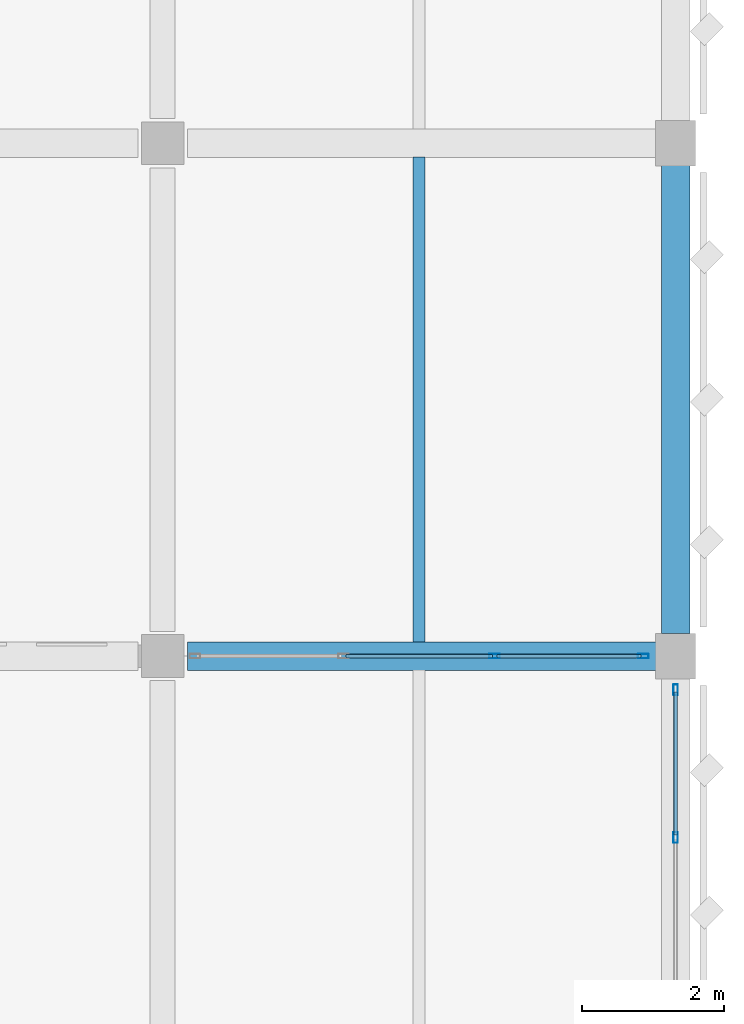
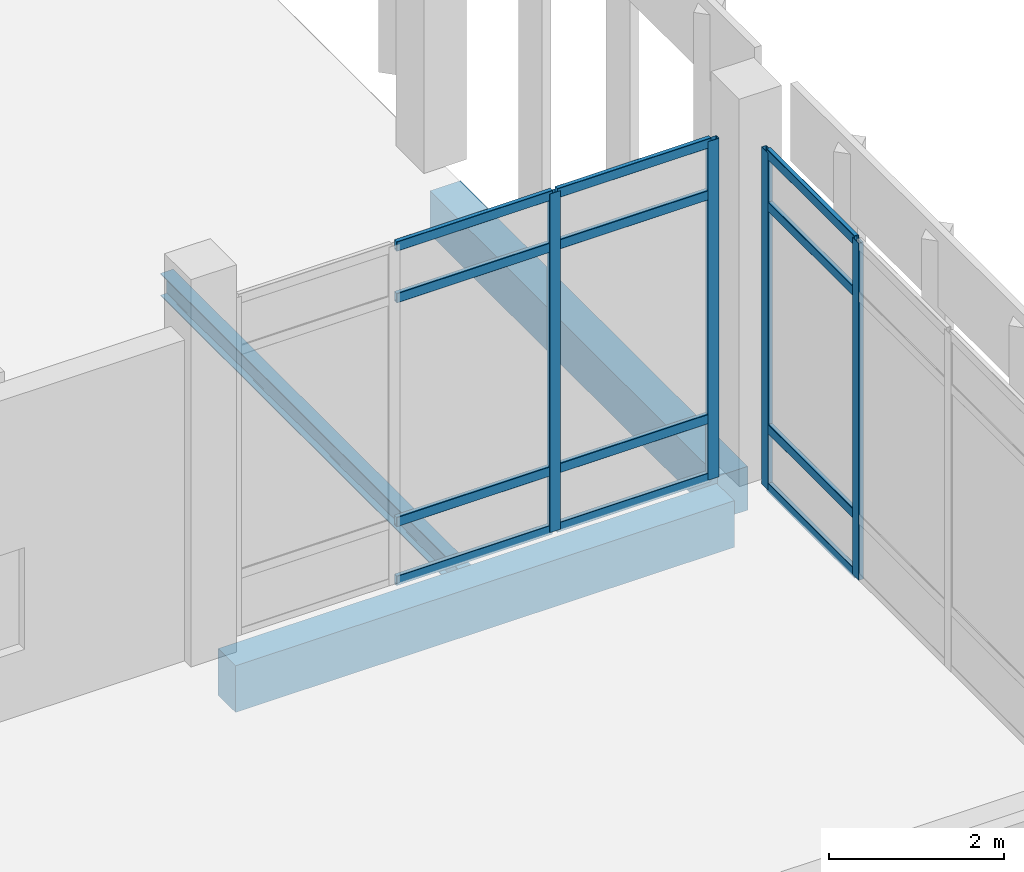
# One storey, part 123 of 180: 16 members, 3 beams, 2 elements without a shape of their own.
"""IFC4 building model written with IfcOpenShell, lengths in metres."""

from ifc_helpers import new_model, si_unit, direction, frame, origin, origin_2d, place, context, subcontext, project, spatial, rectangle, hollow_rectangle, i_section, extrude, material, material_profile, profile_set, type_object, element, aggregate, save


model = new_model("IFC4")

# Units and contexts
model_context = context("Model", 3, precision=1e-05, world=origin(), true_north=direction((0.0, 1.0)))
body_context = subcontext(model_context, "Body", "Model", "MODEL_VIEW")
ifc_project = project(units=[si_unit("LENGTHUNIT", "METRE"), si_unit("AREAUNIT", "SQUARE_METRE"), si_unit("VOLUMEUNIT", "CUBIC_METRE"), si_unit("PLANEANGLEUNIT", "RADIAN"), si_unit("MASSUNIT", "GRAM", prefix="KILO")], contexts=[model_context])

# Site, building, storey
site_placement = place(None, origin())
site = spatial("IfcSite", under=ifc_project, at=site_placement, CompositionType="ELEMENT")
building_placement = place(site_placement, origin())
building = spatial("IfcBuilding", under=site, at=building_placement, Name="Lusvemor Sports Hall", CompositionType="ELEMENT")
storey_placement = place(building_placement, frame((0.0, 0.0, 5.39990234375)))
storey = spatial("IfcBuildingStorey", under=building, at=storey_placement, Name="L01", CompositionType="ELEMENT", Elevation=5.39990234375)

# Beam
ifc_material_1 = material(Name="Concrete C40/50", Category="concrete")
ifc_material_profile_1 = material_profile(ifc_material_1, rectangle(XDim=0.39990234375, YDim=0.64990234375, at=origin_2d()), Name="RC400x650")
ifc_profile_set_1 = profile_set([ifc_material_profile_1], Name="Concrete C40/50")
beam_type_1 = type_object("IfcBeamType", Name="BEAM_RC_650", PredefinedType="BEAM", material=ifc_profile_set_1)
beam_1_placement = place(storey_placement, frame((162.345947265625, 82.800048828125, -0.594970703125), z_axis=(1.0, 0.0, 0.0), x_axis=(0.0, 1.0, 0.0)))
element("IfcBeam", 1, at=beam_1_placement, inside=storey, type_object=beam_type_1, Name="Beam L01 L:19-20", PredefinedType="BEAM", context=body_context, shape_type="SweptSolid", body=[
    extrude(rectangle(XDim=0.39990234375, YDim=0.64990234375, at=origin_2d()), origin(), (0.0, 0.0, 1.0), 6.578125),
])

# Curtain wall, members
ifc_material_2 = material(Name="Thermally broken bronze-anodized aluminium", Category="aluminium")
curtain_wall_type_1 = type_object("IfcCurtainWallType", Name="CW_WING_B", PredefinedType="NOTDEFINED", material=ifc_material_2)
curtain_wall_1_placement = place(storey_placement, origin())
curtain_wall_1 = element("IfcCurtainWall", 2, at=curtain_wall_1_placement, inside=storey, type_object=curtain_wall_type_1, Name="Curtain Wall CW-L01-N-5-4", PredefinedType="NOTDEFINED")
ifc_material_3 = material(Name="Thermally broken bronze-anodized aluminium", Category="aluminium")
ifc_material_profile_2 = material_profile(ifc_material_3, hollow_rectangle(XDim=0.06494140625, YDim=0.14990234375, WallThickness=0.00390625, InnerFilletRadius=0.00390625, OuterFilletRadius=0.008056640625, at=origin_2d()), Name="CWMUL150x65x4")
ifc_profile_set_2 = profile_set([ifc_material_profile_2], Name="Thermally broken bronze-anodized aluminium")
member_type_1 = type_object("IfcMemberType", Name="CW_MUL_B", PredefinedType="MULLION", material=ifc_profile_set_2)
member_1_placement = place(storey_placement, frame((166.659912109375, 82.800048828125, 0.0), z_axis=(0.0, 0.0, 1.0), x_axis=(0.0, 1.0, 0.0)))
member_1 = element("IfcMember", 3, at=member_1_placement, type_object=member_type_1, Name="CW02 mullion 3", PredefinedType="MULLION", context=body_context, shape_type="SweptSolid", body=[
    extrude(hollow_rectangle(XDim=0.06494140625, YDim=0.14990234375, WallThickness=0.00390625, InnerFilletRadius=0.00390625, OuterFilletRadius=0.008056640625, at=origin_2d()), origin(), (0.0, 0.0, 1.0), 4.72021484375),
])
member_2_placement = place(storey_placement, frame((168.74755859375, 82.800048828125, 0.0), z_axis=(0.0, 0.0, 1.0), x_axis=(0.0, 1.0, 0.0)))
member_2 = element("IfcMember", 4, at=member_2_placement, type_object=member_type_1, Name="CW02 mullion 4", PredefinedType="MULLION", context=body_context, shape_type="SweptSolid", body=[
    extrude(hollow_rectangle(XDim=0.06494140625, YDim=0.14990234375, WallThickness=0.00390625, InnerFilletRadius=0.00390625, OuterFilletRadius=0.008056640625, at=origin_2d()), origin(), (0.0, 0.0, 1.0), 4.72021484375),
])

ifc_material_4 = material(Name="Thermally broken bronze-anodized aluminium", Category="aluminium")
curtain_wall_type_2 = type_object("IfcCurtainWallType", Name="CW_PASSAGE_E", PredefinedType="NOTDEFINED", material=ifc_material_4)
curtain_wall_2_placement = place(storey_placement, origin())
curtain_wall_2 = element("IfcCurtainWall", 5, at=curtain_wall_2_placement, inside=storey, type_object=curtain_wall_type_2, Name="Curtain Wall CW-NLINK-169-L01", PredefinedType="NOTDEFINED")
member_3_placement = place(storey_placement, frame((169.199951171875, 80.25341796875, 0.0), z_axis=(0.0, 0.0, 1.0), x_axis=(-1.0, 0.0, 0.0)))
member_3 = element("IfcMember", 6, at=member_3_placement, type_object=member_type_1, Name="CW05 mullion 3", PredefinedType="MULLION", context=body_context, shape_type="SweptSolid", body=[
    extrude(hollow_rectangle(XDim=0.06494140625, YDim=0.14990234375, WallThickness=0.00390625, InnerFilletRadius=0.00390625, OuterFilletRadius=0.008056640625, at=origin_2d()), origin(), (0.0, 0.0, 1.0), 4.7001953125),
])
member_4_placement = place(storey_placement, frame((169.199951171875, 82.327392578125, 0.0), z_axis=(0.0, 0.0, 1.0), x_axis=(-1.0, 0.0, 0.0)))
member_4 = element("IfcMember", 7, at=member_4_placement, type_object=member_type_1, Name="CW05 mullion 4", PredefinedType="MULLION", context=body_context, shape_type="SweptSolid", body=[
    extrude(hollow_rectangle(XDim=0.06494140625, YDim=0.14990234375, WallThickness=0.00390625, InnerFilletRadius=0.00390625, OuterFilletRadius=0.008056640625, at=origin_2d()), origin(), (0.0, 0.0, 1.0), 4.7001953125),
])

# Member
ifc_material_5 = material(Name="Thermally broken bronze-anodized aluminium", Category="aluminium")
ifc_material_profile_3 = material_profile(ifc_material_5, hollow_rectangle(XDim=0.06005859375, YDim=0.135009765625, WallThickness=0.00390625, InnerFilletRadius=0.00390625, OuterFilletRadius=0.008056640625, at=origin_2d()), Name="CWTRN135x60x4")
ifc_profile_set_3 = profile_set([ifc_material_profile_3], Name="Thermally broken bronze-anodized aluminium")
member_type_2 = type_object("IfcMemberType", Name="CW_TRN_B", PredefinedType="USERDEFINED", material=ifc_profile_set_3)
member_5_placement = place(storey_placement, frame((164.572509765625, 82.800048828125, 0.030029296875), z_axis=(1.0, 0.0, 0.0), x_axis=(0.0, 1.0, 0.0)))
member_5 = element("IfcMember", 8, at=member_5_placement, type_object=member_type_2, Name="CW02 transom 2.1", ObjectType="TRANSOM", PredefinedType="USERDEFINED", context=body_context, shape_type="SweptSolid", body=[
    extrude(hollow_rectangle(XDim=0.06005859375, YDim=0.135009765625, WallThickness=0.00390625, InnerFilletRadius=0.00390625, OuterFilletRadius=0.008056640625, at=origin_2d()), origin(), (0.0, 0.0, 1.0), 2.054931640625),
])

member_6_placement = place(storey_placement, frame((164.572509765625, 82.800048828125, 0.85009765625), z_axis=(1.0, 0.0, 0.0), x_axis=(0.0, 1.0, 0.0)))
member_6 = element("IfcMember", 9, at=member_6_placement, type_object=member_type_2, Name="CW02 transom 2.2", ObjectType="TRANSOM", PredefinedType="USERDEFINED", context=body_context, shape_type="SweptSolid", body=[
    extrude(hollow_rectangle(XDim=0.06005859375, YDim=0.135009765625, WallThickness=0.00390625, InnerFilletRadius=0.00390625, OuterFilletRadius=0.008056640625, at=origin_2d()), origin(), (0.0, 0.0, 1.0), 2.054931640625),
])

member_7_placement = place(storey_placement, frame((164.572509765625, 82.800048828125, 3.97021484375), z_axis=(1.0, 0.0, 0.0), x_axis=(0.0, 1.0, 0.0)))
member_7 = element("IfcMember", 10, at=member_7_placement, type_object=member_type_2, Name="CW02 transom 2.3", ObjectType="TRANSOM", PredefinedType="USERDEFINED", context=body_context, shape_type="SweptSolid", body=[
    extrude(hollow_rectangle(XDim=0.06005859375, YDim=0.135009765625, WallThickness=0.00390625, InnerFilletRadius=0.00390625, OuterFilletRadius=0.008056640625, at=origin_2d()), origin(), (0.0, 0.0, 1.0), 2.054931640625),
])

member_8_placement = place(storey_placement, frame((164.572509765625, 82.800048828125, 4.690185546875), z_axis=(1.0, 0.0, 0.0), x_axis=(0.0, 1.0, 0.0)))
member_8 = element("IfcMember", 11, at=member_8_placement, type_object=member_type_2, Name="CW02 transom 2.4", ObjectType="TRANSOM", PredefinedType="USERDEFINED", context=body_context, shape_type="SweptSolid", body=[
    extrude(hollow_rectangle(XDim=0.06005859375, YDim=0.135009765625, WallThickness=0.00390625, InnerFilletRadius=0.00390625, OuterFilletRadius=0.008056640625, at=origin_2d()), origin(), (0.0, 0.0, 1.0), 2.054931640625),
])

member_9_placement = place(storey_placement, frame((166.6923828125, 82.800048828125, 0.030029296875), z_axis=(1.0, 0.0, 0.0), x_axis=(0.0, 1.0, 0.0)))
member_9 = element("IfcMember", 12, at=member_9_placement, type_object=member_type_2, Name="CW02 transom 3.1", ObjectType="TRANSOM", PredefinedType="USERDEFINED", context=body_context, shape_type="SweptSolid", body=[
    extrude(hollow_rectangle(XDim=0.06005859375, YDim=0.135009765625, WallThickness=0.00390625, InnerFilletRadius=0.00390625, OuterFilletRadius=0.008056640625, at=origin_2d()), origin(), (0.0, 0.0, 1.0), 2.022705078125),
])

member_10_placement = place(storey_placement, frame((166.6923828125, 82.800048828125, 0.85009765625), z_axis=(1.0, 0.0, 0.0), x_axis=(0.0, 1.0, 0.0)))
member_10 = element("IfcMember", 13, at=member_10_placement, type_object=member_type_2, Name="CW02 transom 3.2", ObjectType="TRANSOM", PredefinedType="USERDEFINED", context=body_context, shape_type="SweptSolid", body=[
    extrude(hollow_rectangle(XDim=0.06005859375, YDim=0.135009765625, WallThickness=0.00390625, InnerFilletRadius=0.00390625, OuterFilletRadius=0.008056640625, at=origin_2d()), origin(), (0.0, 0.0, 1.0), 2.022705078125),
])

member_11_placement = place(storey_placement, frame((166.6923828125, 82.800048828125, 3.97021484375), z_axis=(1.0, 0.0, 0.0), x_axis=(0.0, 1.0, 0.0)))
member_11 = element("IfcMember", 14, at=member_11_placement, type_object=member_type_2, Name="CW02 transom 3.3", ObjectType="TRANSOM", PredefinedType="USERDEFINED", context=body_context, shape_type="SweptSolid", body=[
    extrude(hollow_rectangle(XDim=0.06005859375, YDim=0.135009765625, WallThickness=0.00390625, InnerFilletRadius=0.00390625, OuterFilletRadius=0.008056640625, at=origin_2d()), origin(), (0.0, 0.0, 1.0), 2.022705078125),
])

member_12_placement = place(storey_placement, frame((166.6923828125, 82.800048828125, 4.690185546875), z_axis=(1.0, 0.0, 0.0), x_axis=(0.0, 1.0, 0.0)))
member_12 = element("IfcMember", 15, at=member_12_placement, type_object=member_type_2, Name="CW02 transom 3.4", ObjectType="TRANSOM", PredefinedType="USERDEFINED", context=body_context, shape_type="SweptSolid", body=[
    extrude(hollow_rectangle(XDim=0.06005859375, YDim=0.135009765625, WallThickness=0.00390625, InnerFilletRadius=0.00390625, OuterFilletRadius=0.008056640625, at=origin_2d()), origin(), (0.0, 0.0, 1.0), 2.022705078125),
])

aggregate(curtain_wall_1, [member_1, member_2, member_5, member_6, member_7, member_8, member_9, member_10, member_11, member_12])

member_13_placement = place(storey_placement, frame((169.199951171875, 80.285888671875, 0.030029296875), z_axis=(0.0, 1.0, 0.0), x_axis=(-1.0, 0.0, 0.0)))
member_13 = element("IfcMember", 16, at=member_13_placement, type_object=member_type_2, Name="CW05 transom 3.1", ObjectType="TRANSOM", PredefinedType="USERDEFINED", context=body_context, shape_type="SweptSolid", body=[
    extrude(hollow_rectangle(XDim=0.06005859375, YDim=0.135009765625, WallThickness=0.00390625, InnerFilletRadius=0.00390625, OuterFilletRadius=0.008056640625, at=origin_2d()), origin(), (0.0, 0.0, 1.0), 2.009033203125),
])

member_14_placement = place(storey_placement, frame((169.199951171875, 80.285888671875, 0.85009765625), z_axis=(0.0, 1.0, 0.0), x_axis=(-1.0, 0.0, 0.0)))
member_14 = element("IfcMember", 17, at=member_14_placement, type_object=member_type_2, Name="CW05 transom 3.2", ObjectType="TRANSOM", PredefinedType="USERDEFINED", context=body_context, shape_type="SweptSolid", body=[
    extrude(hollow_rectangle(XDim=0.06005859375, YDim=0.135009765625, WallThickness=0.00390625, InnerFilletRadius=0.00390625, OuterFilletRadius=0.008056640625, at=origin_2d()), origin(), (0.0, 0.0, 1.0), 2.009033203125),
])

member_15_placement = place(storey_placement, frame((169.199951171875, 80.285888671875, 3.9501953125), z_axis=(0.0, 1.0, 0.0), x_axis=(-1.0, 0.0, 0.0)))
member_15 = element("IfcMember", 18, at=member_15_placement, type_object=member_type_2, Name="CW05 transom 3.3", ObjectType="TRANSOM", PredefinedType="USERDEFINED", context=body_context, shape_type="SweptSolid", body=[
    extrude(hollow_rectangle(XDim=0.06005859375, YDim=0.135009765625, WallThickness=0.00390625, InnerFilletRadius=0.00390625, OuterFilletRadius=0.008056640625, at=origin_2d()), origin(), (0.0, 0.0, 1.0), 2.009033203125),
])

member_16_placement = place(storey_placement, frame((169.199951171875, 80.285888671875, 4.670166015625), z_axis=(0.0, 1.0, 0.0), x_axis=(-1.0, 0.0, 0.0)))
member_16 = element("IfcMember", 19, at=member_16_placement, type_object=member_type_2, Name="CW05 transom 3.4", ObjectType="TRANSOM", PredefinedType="USERDEFINED", context=body_context, shape_type="SweptSolid", body=[
    extrude(hollow_rectangle(XDim=0.06005859375, YDim=0.135009765625, WallThickness=0.00390625, InnerFilletRadius=0.00390625, OuterFilletRadius=0.008056640625, at=origin_2d()), origin(), (0.0, 0.0, 1.0), 2.009033203125),
])

aggregate(curtain_wall_2, [member_3, member_4, member_13, member_14, member_15, member_16])

# Beams
ifc_material_6 = material(Name="Steel S355", Category="steel")
ifc_material_profile_4 = material_profile(ifc_material_6, i_section(OverallWidth=0.1669921875, OverallDepth=0.31689453125, WebThickness=0.007568359375, FlangeThickness=0.01318359375, FilletRadius=0.014892578125, at=origin_2d()), Name="W310x52.0")
ifc_profile_set_4 = profile_set([ifc_material_profile_4], Name="Steel S355")
beam_type_2 = type_object("IfcBeamType", Name="JOIST_ST_310M", PredefinedType="JOIST", material=ifc_profile_set_4)
beam_2_placement = place(storey_placement, frame((165.60009765625, 82.99609375, -0.432373046875), z_axis=(0.0, 1.0, 0.0), x_axis=(-1.0, 0.0, 0.0)))
element("IfcBeam", 20, at=beam_2_placement, inside=storey, type_object=beam_type_2, Name="Secondary Joist L01 19-20/L-M #1", PredefinedType="JOIST", context=body_context, shape_type="SweptSolid", body=[
    extrude(i_section(OverallWidth=0.1669921875, OverallDepth=0.31689453125, WebThickness=0.007568359375, FlangeThickness=0.01318359375, FilletRadius=0.014892578125, at=origin_2d()), origin(), (0.0, 0.0, 1.0), 6.807861328125),
])
ifc_material_7 = material(Name="Concrete C40/50", Category="concrete")
ifc_material_profile_5 = material_profile(ifc_material_7, rectangle(XDim=0.39990234375, YDim=0.610107421875, at=origin_2d()), Name="RC400x610")
ifc_profile_set_5 = profile_set([ifc_material_profile_5], Name="Concrete C40/50")
beam_type_3 = type_object("IfcBeamType", Name="SPAND_EXT_650", PredefinedType="SPANDREL", material=ifc_profile_set_5)
beam_3_placement = place(storey_placement, frame((169.199951171875, 83.115966796875, -0.574951171875), z_axis=(0.0, 1.0, 0.0), x_axis=(-1.0, 0.0, 0.0)))
element("IfcBeam", 21, at=beam_3_placement, inside=storey, type_object=beam_type_3, Name="Beam L01 20:L-M", PredefinedType="SPANDREL", context=body_context, shape_type="SweptSolid", body=[
    extrude(rectangle(XDim=0.39990234375, YDim=0.610107421875, at=origin_2d()), origin(), (0.0, 0.0, 1.0), 6.568115234375),
])

save(model, "model.ifc")
